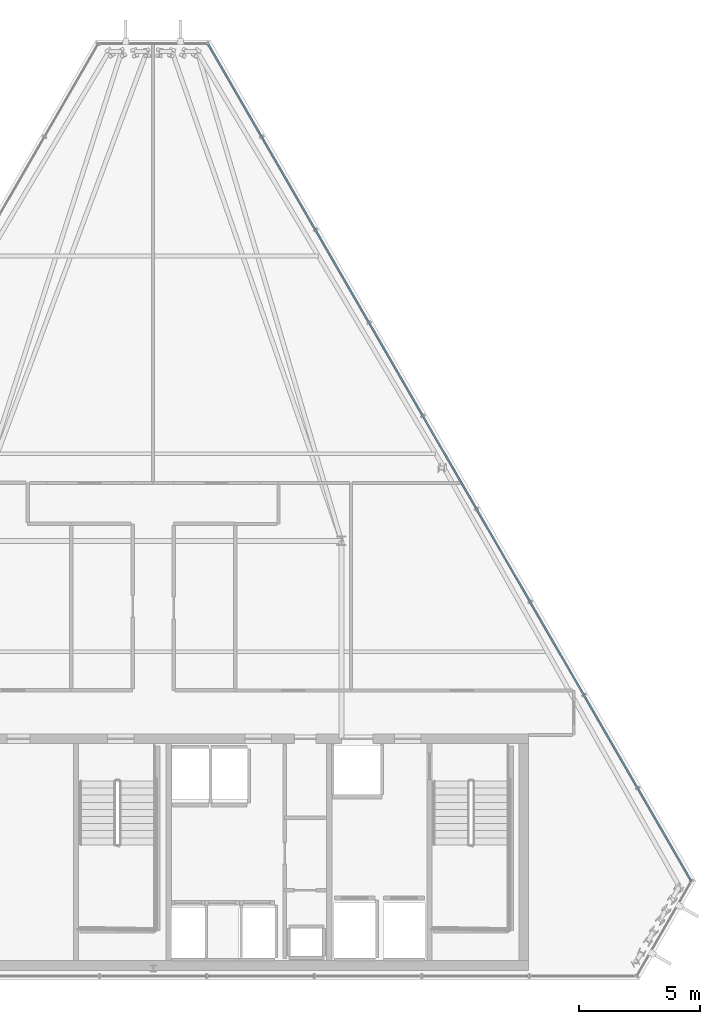
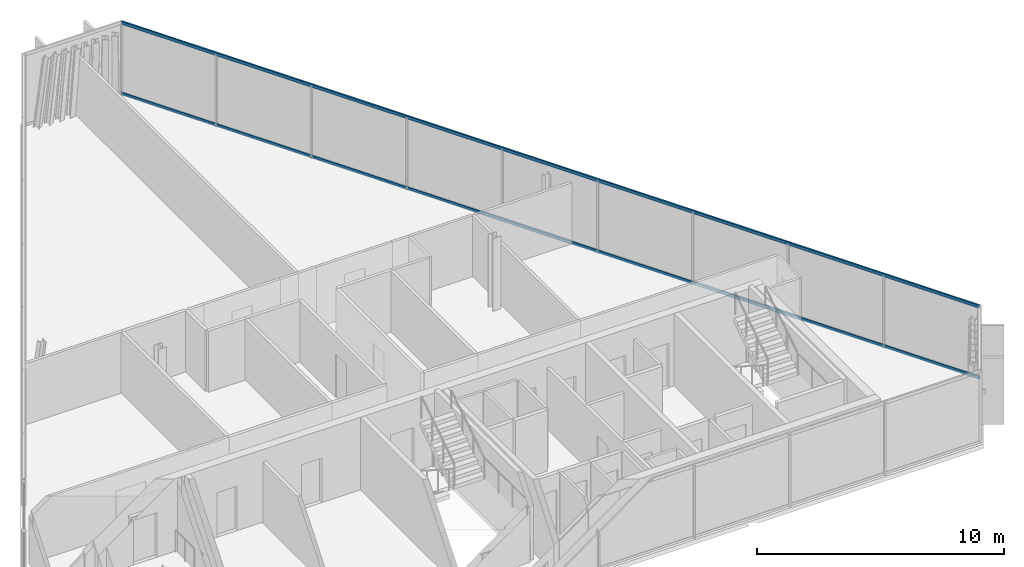
# One storey, part 23 of 32: 2 members, 1 element without a shape of its own.
"""IFC4 building model written with IfcOpenShell, lengths in metres."""

import ifcopenshell
import ifcopenshell.guid

model = None  # the IFC model being written
_history = None  # IfcOwnerHistory: only IFC2X3 demands one
_inside = {}  # id of a spatial element -> (the spatial element, [elements in it])
_under = {}  # id of a project, library or spatial element -> (it, [spatial elements below it])
_declared = {}  # id of a project -> (the project, [libraries it declares])
_typed = {}  # id of a type object -> (the type object, [elements of that type])
_made_of = {}  # id of a material, layer set ... -> (it, [elements and type objects made of it])


def new_model(schema):
    """Start an empty IFC model of exactly this schema.

    Asked for "IFC4X3", IfcOpenShell would pick the latest addendum, in which some entities
    have other attributes; the version numbers below select the first issue.
    IFC2X3 requires an IfcOwnerHistory on every rooted entity: one is made here for all.
    """
    global model, _history
    if schema == "IFC4X3":
        model = ifcopenshell.file(schema_version=(4, 3, 0, 0))
    else:
        model = ifcopenshell.file(schema=schema)
    _inside.clear()
    _under.clear()
    _declared.clear()
    _typed.clear()
    _made_of.clear()
    _history = None
    if model.schema == "IFC2X3":
        org = make("IfcOrganization", Name="unknown")
        user = make(
            "IfcPersonAndOrganization",
            ThePerson=make("IfcPerson", FamilyName="unknown"),
            TheOrganization=org,
        )
        app = make(
            "IfcApplication",
            ApplicationDeveloper=org,
            Version="unknown",
            ApplicationFullName="unknown",
            ApplicationIdentifier="unknown",
        )
        _history = make(
            "IfcOwnerHistory",
            OwningUser=user,
            OwningApplication=app,
            ChangeAction="ADDED",
            CreationDate=0,
        )
    return model


def make(cls, **values):
    """One entity of the class cls with the attributes given. An attribute that is None is left unset."""
    return model.create_entity(
        cls, **{name: value for name, value in values.items() if value is not None}
    )


def rooted(cls, **values):
    """An entity with a GlobalId (a new one), such as an element, a storey or a relation."""
    return make(cls, GlobalId=ifcopenshell.guid.new(), OwnerHistory=_history, **values)


def si_unit(unit_type, name, prefix=None):
    """IfcSIUnit, for example si_unit("LENGTHUNIT", "METRE", prefix="MILLI")."""
    return make("IfcSIUnit", UnitType=unit_type, Prefix=prefix, Name=name)


def assignment(units):
    """IfcUnitAssignment: the units of a project."""
    return None if units is None else make("IfcUnitAssignment", Units=units)


def point(xyz):
    """IfcCartesianPoint."""
    return None if xyz is None else make("IfcCartesianPoint", Coordinates=xyz)


def direction(xyz):
    """IfcDirection."""
    return None if xyz is None else make("IfcDirection", DirectionRatios=xyz)


def frame(location, z_axis=None, x_axis=None):
    """IfcAxis2Placement3D, a coordinate frame: its origin and axes. An axis left out is left unset."""
    return make(
        "IfcAxis2Placement3D",
        Location=point(location),
        Axis=direction(z_axis),
        RefDirection=direction(x_axis),
    )


def frame_2d(location, x_axis=None):
    """IfcAxis2Placement2D, a coordinate frame in the plane: its origin and x axis."""
    return make(
        "IfcAxis2Placement2D", Location=point(location), RefDirection=direction(x_axis)
    )


def origin():
    """The frame at (0, 0, 0) with its axes left unset."""
    return frame((0.0, 0.0, 0.0))


def origin_2d():
    """The frame at (0, 0) in the plane with its x axis left unset."""
    return frame_2d((0.0, 0.0))


def place(relative_to, where):
    """IfcLocalPlacement: puts the frame where relative to a parent placement (None: the world)."""
    return make(
        "IfcLocalPlacement", PlacementRelTo=relative_to, RelativePlacement=where
    )


def context(
    kind, dimensions, precision=None, world=None, true_north=None, identifier=None
):
    """IfcGeometricRepresentationContext, for example the 3D "Model" context."""
    return make(
        "IfcGeometricRepresentationContext",
        ContextIdentifier=identifier,
        ContextType=kind,
        CoordinateSpaceDimension=dimensions,
        Precision=precision,
        WorldCoordinateSystem=world,
        TrueNorth=true_north,
    )


def subcontext(parent, identifier, kind, view, scale=None):
    """IfcGeometricRepresentationSubContext, for example "Body" below "Model"."""
    return make(
        "IfcGeometricRepresentationSubContext",
        ContextIdentifier=identifier,
        ContextType=kind,
        ParentContext=parent,
        TargetScale=scale,
        TargetView=view,
    )


def project(units=None, contexts=None):
    """IfcProject with its units and contexts."""
    return rooted(
        "IfcProject",
        Name="project",
        RepresentationContexts=contexts,
        UnitsInContext=assignment(units),
    )


def spatial(cls, under=None, at=None, **own):
    """A site, building, storey or space (cls), placed at a placement, below another one or the project."""
    s = rooted(cls, ObjectPlacement=at, **own)
    if under is not None:
        _under.setdefault(under.id(), (under, []))[1].append(s)
    return s


def profile(cls, at=None, kind="AREA", **sizes):
    """A parametric profile (cls). Its sizes go by their IFC names, for example OverallWidth=200.0."""
    return make(cls, ProfileType=kind, Position=at, **sizes)


def hollow_rectangle(**sizes):
    """IfcRectangleHollowProfileDef."""
    return profile("IfcRectangleHollowProfileDef", **sizes)


def extrude(swept, where, along, depth):
    """IfcExtrudedAreaSolid: the profile swept, set in the frame where, extruded along a direction by depth."""
    return make(
        "IfcExtrudedAreaSolid",
        SweptArea=swept,
        Position=where,
        ExtrudedDirection=direction(along),
        Depth=depth,
    )


def shape(context_of_items, identifier, shape_type, items):
    """IfcShapeRepresentation: the items that make up one representation, for example the "Body"."""
    return make(
        "IfcShapeRepresentation",
        ContextOfItems=context_of_items,
        RepresentationIdentifier=identifier,
        RepresentationType=shape_type,
        Items=items,
    )


def material(Name=None, Category=None):
    """IfcMaterial."""
    return make("IfcMaterial", Name=Name, Category=Category)


def layer(
    of_material, thickness, ventilated=None, Name=None, Category=None, Priority=None
):
    """IfcMaterialLayer: one layer of a wall or slab, of a material (None: an air gap)."""
    return make(
        "IfcMaterialLayer",
        Material=of_material,
        LayerThickness=thickness,
        IsVentilated=ventilated,
        Name=Name,
        Category=Category,
        Priority=Priority,
    )


def layer_set(layers, Name=None):
    """IfcMaterialLayerSet."""
    return make("IfcMaterialLayerSet", MaterialLayers=layers, LayerSetName=Name)


def material_profile(
    of_material, cross_section, Name=None, Category=None, Priority=None
):
    """IfcMaterialProfile: a cross section and its material."""
    return make(
        "IfcMaterialProfile",
        Name=Name,
        Material=of_material,
        Profile=cross_section,
        Priority=Priority,
        Category=Category,
    )


def profile_set(profiles, Name=None, composite=None):
    """IfcMaterialProfileSet."""
    return make(
        "IfcMaterialProfileSet",
        Name=Name,
        MaterialProfiles=profiles,
        CompositeProfile=composite,
    )


def made_of(thing, what):
    """Note that an element or type object is made of a material, layer set ...; save() writes the relation."""
    if what is not None:
        _made_of.setdefault(what.id(), (what, []))[1].append(thing)
    return thing


def type_object(cls, material=None, **own):
    """A type object (cls), such as IfcWallType, which elements share."""
    return made_of(rooted(cls, **own), material)


def element(
    cls,
    number,
    at=None,
    inside=None,
    cuts=None,
    type_object=None,
    material=None,
    context=None,
    identifier="Body",
    shape_type=None,
    held_by="IfcProductDefinitionShape",
    body=None,
    shapes=None,
    **own,
):
    """One element of the class cls, such as IfcWall. Its Tag is "e" and its number.

    at: its placement. inside: the storey or other place that contains it. cuts: it is an
    opening in that element (IfcRelVoidsElement). A single representation is given by context,
    identifier, shape_type and body (its items); several are given by shapes. held_by: the class
    of the entity that holds the representations. save() writes the other relations.
    """
    e = rooted(cls, Tag="e%d" % number, ObjectPlacement=at, **own)
    if body is not None:
        shapes = [shape(context, identifier, shape_type, body)]
    if shapes is not None:
        e.Representation = make(held_by, Representations=shapes)
    if inside is not None:
        _inside.setdefault(inside.id(), (inside, []))[1].append(e)
    if cuts is not None:
        rooted(
            "IfcRelVoidsElement", RelatingBuildingElement=cuts, RelatedOpeningElement=e
        )
    if type_object is not None:
        _typed.setdefault(type_object.id(), (type_object, []))[1].append(e)
    return made_of(e, material)


def aggregate(whole, parts):
    """IfcRelAggregates: a whole, such as a stair, and the parts it consists of."""
    return rooted("IfcRelAggregates", RelatingObject=whole, RelatedObjects=parts)


def save(model, path):
    """Write the relations noted so far, then the file.

    IfcRelAggregates (storeys below a building ...), IfcRelContainedInSpatialStructure (elements
    in a storey), IfcRelDefinesByType, IfcRelAssociatesMaterial and IfcRelDeclares: one each for
    every whole, place, type object, material and project.
    """
    for whole, parts in _under.values():
        aggregate(whole, parts)
    for where, things in _inside.values():
        rooted(
            "IfcRelContainedInSpatialStructure",
            RelatedElements=things,
            RelatingStructure=where,
        )
    for kind, things in _typed.values():
        rooted("IfcRelDefinesByType", RelatedObjects=things, RelatingType=kind)
    for what, things in _made_of.values():
        rooted("IfcRelAssociatesMaterial", RelatedObjects=things, RelatingMaterial=what)
    for by, libraries in _declared.values():
        rooted("IfcRelDeclares", RelatingContext=by, RelatedDefinitions=libraries)
    model.write(path)


model = new_model("IFC4")

# Units and contexts
model_context = context("Model", 3, precision=1e-05, world=origin(), true_north=direction((0.0, 1.0)))
body_context = subcontext(model_context, "Body", "Model", "MODEL_VIEW")
ifc_project = project(units=[si_unit("LENGTHUNIT", "METRE"), si_unit("AREAUNIT", "SQUARE_METRE"), si_unit("VOLUMEUNIT", "CUBIC_METRE"), si_unit("PLANEANGLEUNIT", "RADIAN"), si_unit("MASSUNIT", "GRAM", prefix="KILO")], contexts=[model_context])

# Site, building, storey
site_placement = place(None, origin())
site = spatial("IfcSite", under=ifc_project, at=site_placement, CompositionType="ELEMENT")
building_placement = place(site_placement, origin())
building = spatial("IfcBuilding", under=site, at=building_placement, Name="Ndaravel Arena Tower", CompositionType="ELEMENT")
storey_placement = place(building_placement, frame((0.0, 0.0, 290.89990234375)))
storey = spatial("IfcBuildingStorey", under=building, at=storey_placement, Name="L71", CompositionType="ELEMENT", Elevation=290.89990234375)

# Curtain wall, members
ifc_material_1 = material(Name="Aluminium", Category="aluminium")
ifc_layer = layer(ifc_material_1, 0.179931640625)
ifc_layer_set = layer_set([ifc_layer], Name="Aluminium")
curtain_wall_type = type_object("IfcCurtainWallType", Name="CW-SYS-03", PredefinedType="NOTDEFINED", material=ifc_layer_set)
curtain_wall_placement = place(storey_placement, origin())
curtain_wall = element("IfcCurtainWall", 1, at=curtain_wall_placement, inside=storey, type_object=curtain_wall_type, Name="L71 Faceted Crystal Curtain Wall CW-L71-E03", PredefinedType="NOTDEFINED")
ifc_material_2 = material(Name="Aluminium", Category="aluminium")
ifc_material_profile = material_profile(ifc_material_2, hollow_rectangle(XDim=0.074951171875, YDim=0.14990234375, WallThickness=0.00390625, at=origin_2d()), Name="CW TRANSOM 75x150x4")
ifc_profile_set = profile_set([ifc_material_profile], Name="Aluminium")
member_type = type_object("IfcMemberType", Name="MEM-CW-TRN150", PredefinedType="USERDEFINED", material=ifc_profile_set)
member_1_placement = place(storey_placement, frame((64.307373046875, 9.095947265625, 0.0400390625), z_axis=(-0.499998114738, 0.866026492238, 0.0), x_axis=(-0.866026492238, -0.499998114738, 0.0)))
member_1 = element("IfcMember", 2, at=member_1_placement, type_object=member_type, Name="CW-L71-E03 Transom 01", ObjectType="TRANSOM", PredefinedType="USERDEFINED", context=body_context, shape_type="SweptSolid", body=[
    extrude(hollow_rectangle(XDim=0.074951171875, YDim=0.14990234375, WallThickness=0.00390625, at=origin_2d()), origin(), (0.0, 0.0, 1.0), 40.070068359375),
])
member_2_placement = place(storey_placement, frame((64.307373046875, 9.095947265625, 3.5400390625), z_axis=(-0.499998114738, 0.866026492238, 0.0), x_axis=(-0.866026492238, -0.499998114738, 0.0)))
member_2 = element("IfcMember", 3, at=member_2_placement, type_object=member_type, Name="CW-L71-E03 Transom 02", ObjectType="TRANSOM", PredefinedType="USERDEFINED", context=body_context, shape_type="SweptSolid", body=[
    extrude(hollow_rectangle(XDim=0.074951171875, YDim=0.14990234375, WallThickness=0.00390625, at=origin_2d()), origin(), (0.0, 0.0, 1.0), 40.070068359375),
])
aggregate(curtain_wall, [member_1, member_2])

save(model, "model.ifc")
